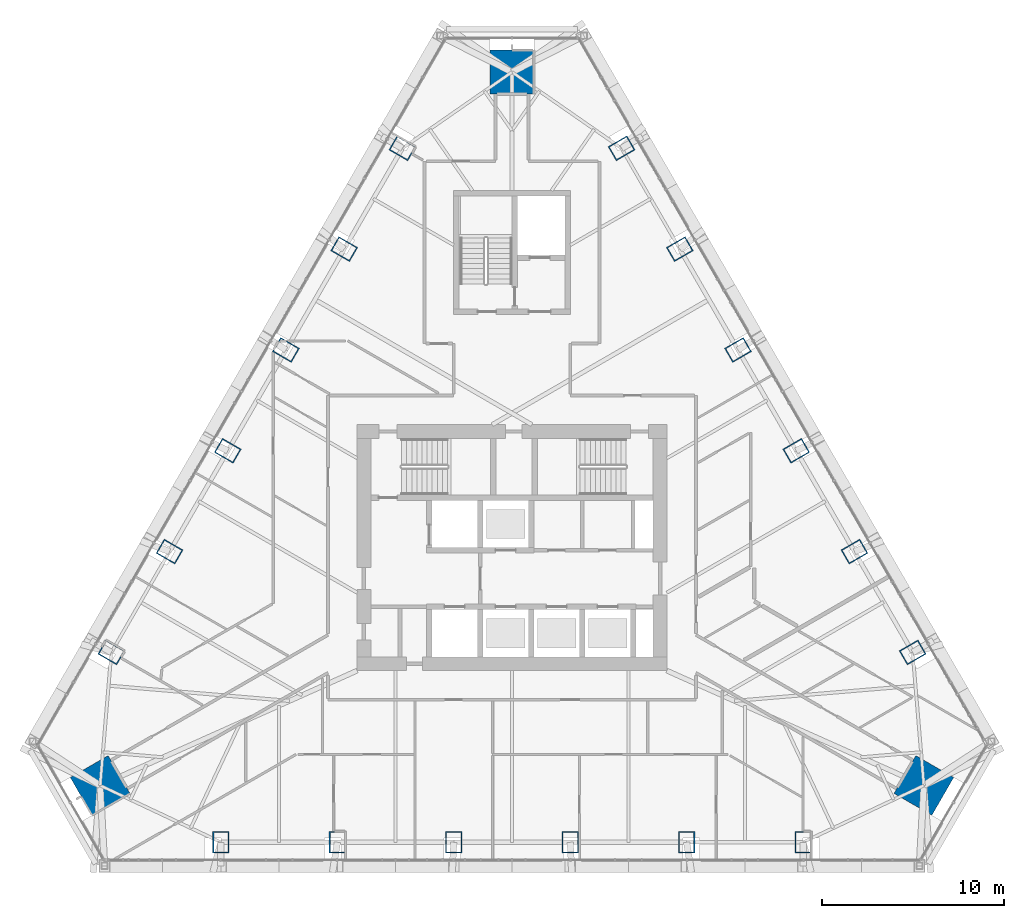
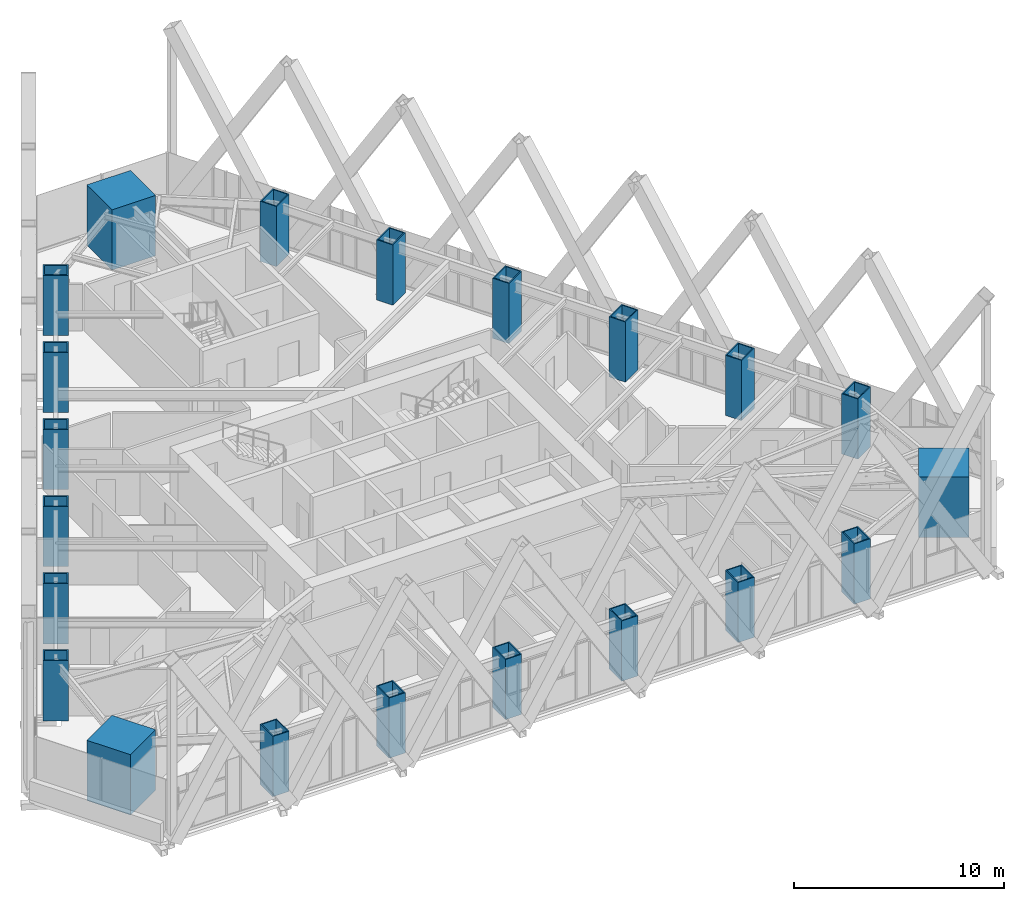
# One storey, part 1 of 21: 21 columns.
"""IFC4 building model written with IfcOpenShell, lengths in metres."""

from ifc_helpers import new_model, si_unit, direction, frame, origin, origin_2d, place, context, subcontext, project, spatial, rectangle, hollow_rectangle, extrude, material, material_profile, profile_set, type_object, element, save


model = new_model("IFC4")

# Units and contexts
model_context = context("Model", 3, precision=1e-05, world=origin(), true_north=direction((0.0, 1.0)))
body_context = subcontext(model_context, "Body", "Model", "MODEL_VIEW")
ifc_project = project(units=[si_unit("LENGTHUNIT", "METRE"), si_unit("AREAUNIT", "SQUARE_METRE"), si_unit("VOLUMEUNIT", "CUBIC_METRE"), si_unit("PLANEANGLEUNIT", "RADIAN"), si_unit("MASSUNIT", "GRAM", prefix="KILO")], contexts=[model_context])

# Site, building, storey
site_placement = place(None, origin())
site = spatial("IfcSite", under=ifc_project, at=site_placement, CompositionType="ELEMENT")
building_placement = place(site_placement, origin())
building = spatial("IfcBuilding", under=site, at=building_placement, Name="Firuza Gate Tower and Library", CompositionType="ELEMENT")
storey_placement = place(building_placement, frame((0.0, 0.0, 281.10009765625)))
storey = spatial("IfcBuildingStorey", under=building, at=storey_placement, Name="L67", CompositionType="ELEMENT", Elevation=281.10009765625)

# Columns
ifc_material_1 = material(Name="Steel S355", Category="steel")
ifc_material_profile_1 = material_profile(ifc_material_1, hollow_rectangle(XDim=0.89990234375, YDim=1.199951171875, WallThickness=0.06005859375, at=origin_2d()))
ifc_profile_set_1 = profile_set([ifc_material_profile_1], Name="Steel S355")
column_type_1 = type_object("IfcColumnType", Name="BU1200x900x60 Composite box column", PredefinedType="COLUMN", material=ifc_profile_set_1)
for number, where, z_axis, x_axis, name in (
    (1, (59.026611328125, 58.83203125, -0.00048828125), (0.0, 0.0, 1.0), (1.0, 0.0, 0.0), "Column S1 L67"),
    (2, (65.416015625, 58.83203125, -0.00048828125), (0.0, 0.0, 1.0), (1.0, 0.0, 0.0), "Column S2 L67"),
    (3, (71.805419921875, 58.83203125, -0.00048828125), (0.0, 0.0, 1.0), (1.0, 0.0, 0.0), "Column S3 L67"),
    (4, (78.194580078125, 58.83203125, -0.00048828125), (0.0, 0.0, 1.0), (1.0, 0.0, 0.0), "Column S4 L67"),
    (5, (84.583984375, 58.83203125, -0.00048828125), (0.0, 0.0, 1.0), (1.0, 0.0, 0.0), "Column S5 L67"),
    (6, (90.973388671875, 58.83203125, -0.00048828125), (0.0, 0.0, 1.0), (1.0, 0.0, 0.0), "Column S6 L67"),
    (7, (96.988525390625, 69.250732421875, -0.00048828125), (0.0, 0.0, 1.0), (-0.5, 0.866025403784, 0.0), "Column E1 L67"),
    (8, (93.7939453125, 74.783935546875, -0.00048828125), (0.0, 0.0, 1.0), (-0.5, 0.866025403784, 0.0), "Column E2 L67"),
    (9, (90.599365234375, 80.3173828125, -0.00048828125), (0.0, 0.0, 1.0), (-0.5, 0.866025403784, 0.0), "Column E3 L67"),
    (10, (87.404541015625, 85.8505859375, -0.00048828125), (0.0, 0.0, 1.0), (-0.5, 0.866025403784, 0.0), "Column E4 L67"),
    (11, (84.2099609375, 91.384033203125, -0.00048828125), (0.0, 0.0, 1.0), (-0.5, 0.866025403784, 0.0), "Column E5 L67"),
    (12, (81.01513671875, 96.917236328125, -0.00048828125), (0.0, 0.0, 1.0), (-0.5, 0.866025403784, 0.0), "Column E6 L67"),
    (13, (68.98486328125, 96.917236328125, -0.00048828125), (0.0, 0.0, 1.0), (-0.5, -0.866025403784, 0.0), "Column W1 L67"),
    (14, (65.7900390625, 91.384033203125, -0.00048828125), (0.0, 0.0, 1.0), (-0.5, -0.866025403784, 0.0), "Column W2 L67"),
    (15, (62.595458984375, 85.8505859375, -0.00048828125), (0.0, 0.0, 1.0), (-0.5, -0.866025403784, 0.0), "Column W3 L67"),
    (16, (59.400634765625, 80.3173828125, -0.00048828125), (0.0, 0.0, 1.0), (-0.5, -0.866025403784, 0.0), "Column W4 L67"),
    (17, (56.2060546875, 74.783935546875, -0.00048828125), (0.0, 0.0, 1.0), (-0.5, -0.866025403784, 0.0), "Column W5 L67"),
    (18, (53.011474609375, 69.250732421875, -0.00048828125), (0.0, 0.0, 1.0), (-0.5, -0.866025403784, 0.0), "Column W6 L67"),
):
    element("IfcColumn", number, at=place(storey_placement, frame(where, z_axis=z_axis, x_axis=x_axis)), inside=storey, type_object=column_type_1, Name=name, PredefinedType="COLUMN", context=body_context, shape_type="SweptSolid", body=[
        extrude(hollow_rectangle(XDim=0.89990234375, YDim=1.199951171875, WallThickness=0.06005859375, at=origin_2d()), origin(), (0.0, 0.0, 1.0), 3.50048828125),
    ])
ifc_material_2 = material(Name="Concrete C80/95", Category="concrete")
ifc_material_profile_2 = material_profile(ifc_material_2, rectangle(XDim=2.39990234375, YDim=2.39990234375, at=origin_2d()))
ifc_profile_set_2 = profile_set([ifc_material_profile_2], Name="Concrete C80/95")
column_type_2 = type_object("IfcColumnType", Name="Mega column 2400x2400 C80/95", PredefinedType="COLUMN", material=ifc_profile_set_2)
for number, where, z_axis, x_axis, name in (
    (19, (97.603759765625, 61.94970703125, 0.0), (0.0, 0.0, 1.0), (0.5, 0.866025403784, 0.0), "Mega column SE L67"),
    (20, (75.0, 101.1005859375, 0.0), (0.0, 0.0, 1.0), (-1.0, 0.0, 0.0), "Mega column N L67"),
    (21, (52.396240234375, 61.94970703125, 0.0), (0.0, 0.0, 1.0), (0.5, -0.866025403784, 0.0), "Mega column SW L67"),
):
    element("IfcColumn", number, at=place(storey_placement, frame(where, z_axis=z_axis, x_axis=x_axis)), inside=storey, type_object=column_type_2, Name=name, PredefinedType="COLUMN", context=body_context, shape_type="SweptSolid", body=[
        extrude(rectangle(XDim=2.39990234375, YDim=2.39990234375, at=origin_2d()), origin(), (0.0, 0.0, 1.0), 3.5),
    ])

save(model, "model.ifc")
